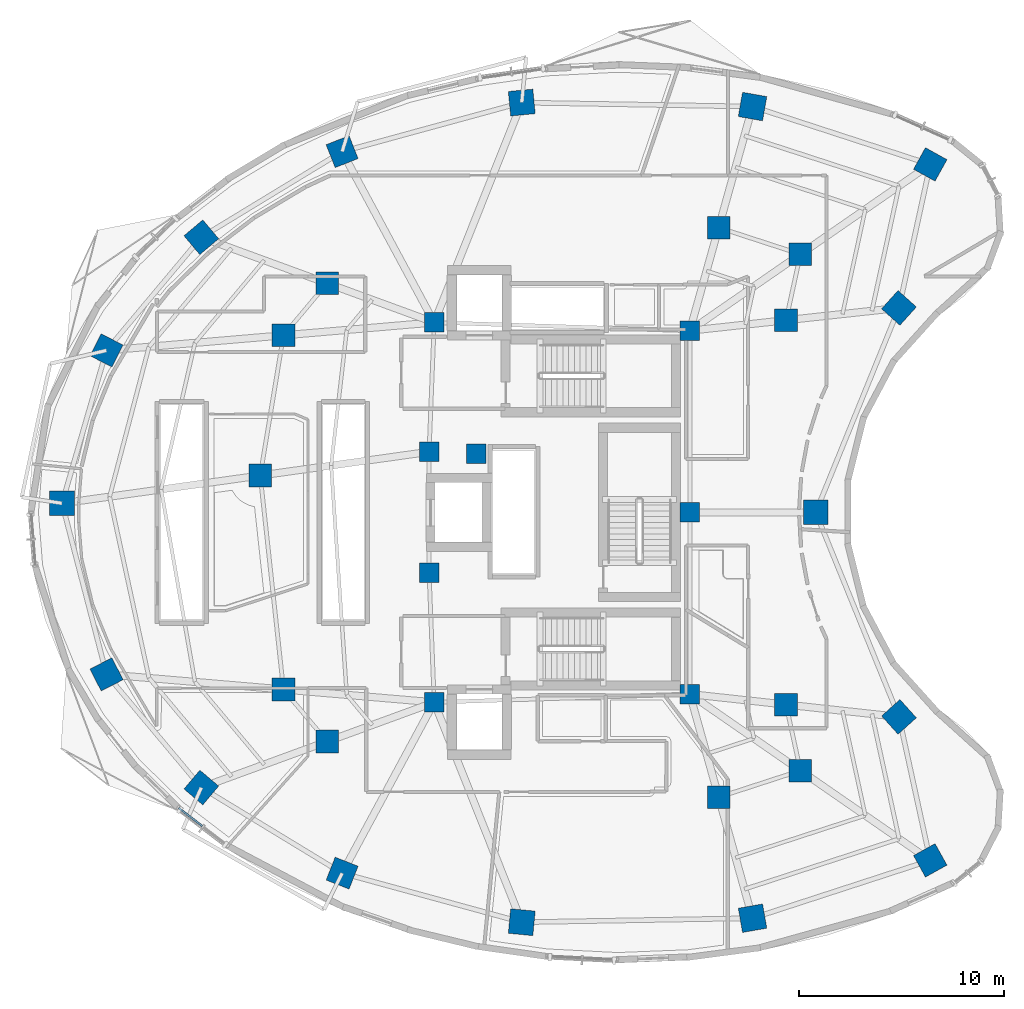
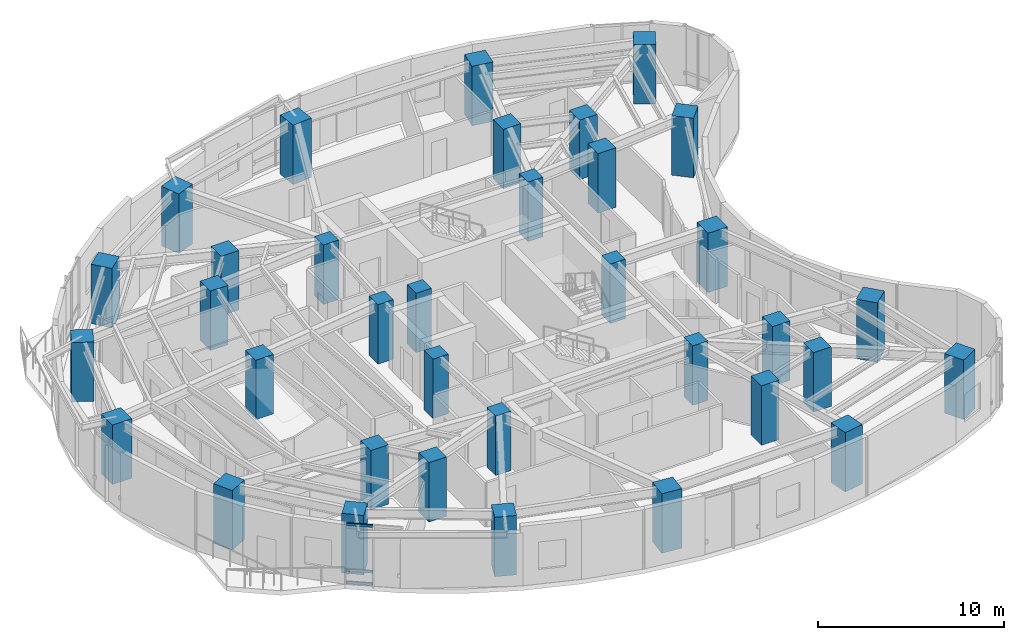
# One storey, part 1 of 15: 35 columns, 3 members, 1 element without a shape of its own.
"""IFC4 building model written with IfcOpenShell, lengths in metres."""

from ifc_helpers import new_model, si_unit, direction, frame, origin, origin_2d, place, context, subcontext, project, spatial, rectangle, extrude, material, layer, layer_set, material_profile, profile_set, type_object, element, aggregate, save


model = new_model("IFC4")

# Units and contexts
model_context = context("Model", 3, precision=1e-05, world=origin(), true_north=direction((0.0, 1.0)))
body_context = subcontext(model_context, "Body", "Model", "MODEL_VIEW")
ifc_project = project(units=[si_unit("LENGTHUNIT", "METRE"), si_unit("AREAUNIT", "SQUARE_METRE"), si_unit("VOLUMEUNIT", "CUBIC_METRE"), si_unit("PLANEANGLEUNIT", "RADIAN"), si_unit("MASSUNIT", "GRAM", prefix="KILO")], contexts=[model_context])

# Site, building, storey
site_placement = place(None, origin())
site = spatial("IfcSite", under=ifc_project, at=site_placement, CompositionType="ELEMENT")
building_placement = place(site_placement, origin())
building = spatial("IfcBuilding", under=site, at=building_placement, Name="Korentha Bioscience Tower", CompositionType="ELEMENT")
storey_placement = place(building_placement, frame((0.0, 0.0, 98.39990234375)))
storey = spatial("IfcBuildingStorey", under=building, at=storey_placement, Name="L22", CompositionType="ELEMENT", Elevation=98.39990234375)

# Columns
ifc_material_1 = material(Name="Concrete C65", Category="concrete")
ifc_material_profile_1 = material_profile(ifc_material_1, rectangle(XDim=0.949951171875, YDim=0.949951171875, at=origin_2d()), Name="Concrete C65")
ifc_profile_set_1 = profile_set([ifc_material_profile_1], Name="Concrete C65 (COL-CP09)")
column_type_1 = type_object("IfcColumnType", Name="Core Pilaster Column RC 950x950", PredefinedType="PILASTER", material=ifc_profile_set_1)
for number, where, z_axis, x_axis, name in (
    (1, (37.550048828125, 35.85009765625, -0.00048828125), (0.0, 0.0, 1.0), (1.0, 0.0, 0.0), "L22 Core Pilaster CP-01"),
    (2, (25.10009765625, 36.25, -0.00048828125), (0.0, 0.0, 1.0), (1.0, 0.0, 0.0), "L22 Core Pilaster CP-02"),
    (3, (24.85009765625, 29.949951171875, -0.00048828125), (0.0, 0.0, 1.0), (1.0, 0.0, 0.0), "L22 Core Pilaster CP-03"),
    (4, (27.14990234375, 29.85009765625, -0.00048828125), (0.0, 0.0, 1.0), (1.0, 0.0, 0.0), "L22 Core Pilaster CP-04"),
    (5, (24.85009765625, 24.050048828125, -0.00048828125), (0.0, 0.0, 1.0), (1.0, 0.0, 0.0), "L22 Core Pilaster CP-05"),
    (6, (25.10009765625, 17.75, -0.00048828125), (0.0, 0.0, 1.0), (1.0, 0.0, 0.0), "L22 Core Pilaster CP-06"),
    (7, (37.550048828125, 18.14990234375, -0.00048828125), (0.0, 0.0, 1.0), (1.0, 0.0, 0.0), "L22 Core Pilaster CP-07"),
    (8, (37.550048828125, 27.0, -0.00048828125), (0.0, 0.0, 1.0), (1.0, 0.0, 0.0), "L22 Core Pilaster CP-08"),
):
    element("IfcColumn", number, at=place(storey_placement, frame(where, z_axis=z_axis, x_axis=x_axis)), inside=storey, type_object=column_type_1, Name=name, PredefinedType="PILASTER", context=body_context, shape_type="SweptSolid", body=[
        extrude(rectangle(XDim=0.949951171875, YDim=0.949951171875, at=origin_2d()), origin(), (0.0, 0.0, 1.0), 3.901123046875),
    ])
ifc_material_2 = material(Name="Concrete C80", Category="concrete")
ifc_material_profile_2 = material_profile(ifc_material_2, rectangle(XDim=1.10009765625, YDim=1.10009765625, at=origin_2d()), Name="Concrete C80")
ifc_profile_set_2 = profile_set([ifc_material_profile_2], Name="Concrete C80 (COL-MR11)")
column_type_2 = type_object("IfcColumnType", Name="Mid-Ring Lab Column RC 1100x1100", PredefinedType="COLUMN", material=ifc_profile_set_2)
for number, where, z_axis, x_axis, name in (
    (9, (42.93603515625, 39.57470703125, -0.00048828125), (0.0, 0.0, 1.0), (1.0, 0.0, 0.0), "L22 Mid-Ring Column 01"),
    (10, (38.954833984375, 40.870849609375, -0.00048828125), (0.0, 0.0, 1.0), (1.0, 0.0, 0.0), "L22 Mid-Ring Column 02"),
    (11, (19.882568359375, 38.158935546875, -0.00048828125), (0.0, 0.0, 1.0), (1.0, 0.0, 0.0), "L22 Mid-Ring Column 05"),
    (12, (17.75927734375, 35.6240234375, -0.00048828125), (0.0, 0.0, 1.0), (1.0, 0.0, 0.0), "L22 Mid-Ring Column 06"),
    (13, (16.627197265625, 28.796630859375, -0.00048828125), (0.0, 0.0, 1.0), (1.0, 0.0, 0.0), "L22 Mid-Ring Column 07"),
    (14, (17.75927734375, 18.3759765625, -0.00048828125), (0.0, 0.0, 1.0), (1.0, 0.0, 0.0), "L22 Mid-Ring Column 08"),
    (15, (19.882568359375, 15.841064453125, -0.00048828125), (0.0, 0.0, 1.0), (1.0, 0.0, 0.0), "L22 Mid-Ring Column 09"),
    (16, (38.954833984375, 13.129150390625, -0.00048828125), (0.0, 0.0, 1.0), (1.0, 0.0, 0.0), "L22 Mid-Ring Column 12"),
    (17, (42.93603515625, 14.42529296875, -0.00048828125), (0.0, 0.0, 1.0), (1.0, 0.0, 0.0), "L22 Mid-Ring Column 13"),
    (18, (42.235595703125, 17.639404296875, -0.00048828125), (0.0, 0.0, 1.0), (1.0, 0.0, 0.0), "L22 Mid-Ring Column 14"),
    (19, (42.235595703125, 36.360595703125, -0.00048828125), (0.0, 0.0, 1.0), (1.0, 0.0, 0.0), "L22 Mid-Ring Column 16"),
):
    element("IfcColumn", number, at=place(storey_placement, frame(where, z_axis=z_axis, x_axis=x_axis)), inside=storey, type_object=column_type_2, Name=name, PredefinedType="COLUMN", context=body_context, shape_type="SweptSolid", body=[
        extrude(rectangle(XDim=1.10009765625, YDim=1.10009765625, at=origin_2d()), origin(), (0.0, 0.0, 1.0), 3.901123046875),
    ])
ifc_material_profile_3 = material_profile(ifc_material_2, rectangle(XDim=1.199951171875, YDim=1.199951171875, at=origin_2d()), Name="Concrete C80")
ifc_profile_set_3 = profile_set([ifc_material_profile_3], Name="Concrete C80 (COL-P12)")
column_type_3 = type_object("IfcColumnType", Name="Perimeter Column RC 1200x1200", PredefinedType="COLUMN", material=ifc_profile_set_3)
for number, where, z_axis, x_axis, name in (
    (20, (49.2587890625, 43.947021484375, -0.00048828125), (0.0, 0.0, 1.0), (-0.874535078577, 0.484962262797, 0.0), "L22 Perimeter Column 01"),
    (21, (40.604248046875, 46.764892578125, -0.00048828125), (0.0, 0.0, 1.0), (-0.984868307662, 0.173304404339, 0.0), "L22 Perimeter Column 02"),
    (22, (29.3642578125, 46.959228515625, -0.00048828125), (0.0, 0.0, 1.0), (0.995462868748, 0.095150811579, 0.0), "L22 Perimeter Column 03"),
    (23, (20.614990234375, 44.5693359375, -0.00048828125), (0.0, 0.0, 1.0), (0.930225540858, 0.366988341962, 0.0), "L22 Perimeter Column 04"),
    (24, (13.7578125, 40.400146484375, -0.00048828125), (0.0, 0.0, 1.0), (0.764246456939, 0.644924300253, 0.0), "L22 Perimeter Column 05"),
    (25, (9.141845703125, 34.889404296875, -0.00048828125), (0.0, 0.0, 1.0), (0.453057191132, 0.891481453292, 0.0), "L22 Perimeter Column 06"),
    (26, (6.97412109375, 27.4423828125, -0.00048828125), (0.0, 0.0, 1.0), (0.0, 1.0, 0.0), "L22 Perimeter Column 07"),
    (27, (9.141845703125, 19.110595703125, -0.00048828125), (0.0, 0.0, 1.0), (-0.453057191132, 0.891481453292, 0.0), "L22 Perimeter Column 08"),
    (28, (13.7578125, 13.599853515625, -0.00048828125), (0.0, 0.0, 1.0), (-0.764246456939, 0.644924300253, 0.0), "L22 Perimeter Column 09"),
    (29, (20.614990234375, 9.4306640625, -0.00048828125), (0.0, 0.0, 1.0), (-0.930225540858, 0.366988341962, 0.0), "L22 Perimeter Column 10"),
    (30, (29.3642578125, 7.040771484375, -0.00048828125), (0.0, 0.0, 1.0), (-0.995462868748, 0.095150811579, 0.0), "L22 Perimeter Column 11"),
    (31, (40.604248046875, 7.235107421875, -0.00048828125), (0.0, 0.0, 1.0), (0.984868307662, 0.173304404339, 0.0), "L22 Perimeter Column 12"),
    (32, (49.2587890625, 10.052978515625, -0.00048828125), (0.0, 0.0, 1.0), (0.874535078577, 0.484962262797, 0.0), "L22 Perimeter Column 13"),
    (33, (47.736083984375, 17.040283203125, -0.00048828125), (0.0, 0.0, 1.0), (-0.669130606359, 0.743144825477, 0.0), "L22 Perimeter Column 14"),
    (34, (43.680908203125, 27.0, -0.00048828125), (0.0, 0.0, 1.0), (0.0, 1.0, 0.0), "L22 Perimeter Column 15"),
    (35, (47.736083984375, 36.959716796875, -0.00048828125), (0.0, 0.0, 1.0), (0.669130606359, 0.743144825477, 0.0), "L22 Perimeter Column 16"),
):
    element("IfcColumn", number, at=place(storey_placement, frame(where, z_axis=z_axis, x_axis=x_axis)), inside=storey, type_object=column_type_3, Name=name, PredefinedType="COLUMN", context=body_context, shape_type="SweptSolid", body=[
        extrude(rectangle(XDim=1.199951171875, YDim=1.199951171875, at=origin_2d()), origin(), (0.0, 0.0, 1.0), 3.901123046875),
    ])

# Curtain wall, members
ifc_material_3 = material(Name="Thermally Broken Aluminium Frame", Category="aluminium")
ifc_layer = layer(ifc_material_3, 0.219970703125, Name="Thermally Broken Aluminium Frame")
ifc_layer_set = layer_set([ifc_layer], Name="Thermally Broken Aluminium Frame (CW-T2)")
curtain_wall_type = type_object("IfcCurtainWallType", Name="Solar-Screened Lab Unitised Curtain Wall CW-T2", PredefinedType="USERDEFINED", material=ifc_layer_set)
curtain_wall_placement = place(storey_placement, origin())
curtain_wall = element("IfcCurtainWall", 36, at=curtain_wall_placement, inside=storey, type_object=curtain_wall_type, Name="L22 Curtain Wall 25", ObjectType="UNITISED", PredefinedType="USERDEFINED")
ifc_material_4 = material(Name="Anodised Aluminium 6063-T6", Category="aluminium")
ifc_material_profile_4 = material_profile(ifc_material_4, rectangle(XDim=0.090087890625, YDim=0.159912109375, at=origin_2d()), Name="Anodised Aluminium 6063-T6")
ifc_profile_set_4 = profile_set([ifc_material_profile_4], Name="Anodised Aluminium 6063-T6 (CW-TRN)")
member_type = type_object("IfcMemberType", Name="Transom RECT 90x160", PredefinedType="USERDEFINED", material=ifc_profile_set_4)
member_1_placement = place(storey_placement, frame((12.659912109375, 12.601318359375, 0.045166015625), z_axis=(0.794559026989, -0.607186917374, 0.0), x_axis=(0.607186917374, 0.794559026989, 0.0)))
member_1 = element("IfcMember", 37, at=member_1_placement, type_object=member_type, Name="CW-L22-25 Bay 1 Transom 1", ObjectType="TRANSOM", PredefinedType="USERDEFINED", context=body_context, shape_type="SweptSolid", body=[
    extrude(rectangle(XDim=0.090087890625, YDim=0.159912109375, at=origin_2d()), origin(), (0.0, 0.0, 1.0), 1.4462890625),
])
member_2_placement = place(storey_placement, frame((12.659912109375, 12.601318359375, 0.85009765625), z_axis=(0.794559026989, -0.607186917374, 0.0), x_axis=(0.607186917374, 0.794559026989, 0.0)))
member_2 = element("IfcMember", 38, at=member_2_placement, type_object=member_type, Name="CW-L22-25 Bay 1 Transom 2", ObjectType="TRANSOM", PredefinedType="USERDEFINED", context=body_context, shape_type="SweptSolid", body=[
    extrude(rectangle(XDim=0.090087890625, YDim=0.159912109375, at=origin_2d()), origin(), (0.0, 0.0, 1.0), 1.4462890625),
])
member_3_placement = place(storey_placement, frame((12.659912109375, 12.601318359375, 3.85498046875), z_axis=(0.794559026989, -0.607186917374, 0.0), x_axis=(0.607186917374, 0.794559026989, 0.0)))
member_3 = element("IfcMember", 39, at=member_3_placement, type_object=member_type, Name="CW-L22-25 Bay 1 Transom 3", ObjectType="TRANSOM", PredefinedType="USERDEFINED", context=body_context, shape_type="SweptSolid", body=[
    extrude(rectangle(XDim=0.090087890625, YDim=0.159912109375, at=origin_2d()), origin(), (0.0, 0.0, 1.0), 1.4462890625),
])
aggregate(curtain_wall, [member_1, member_2, member_3])

save(model, "model.ifc")
